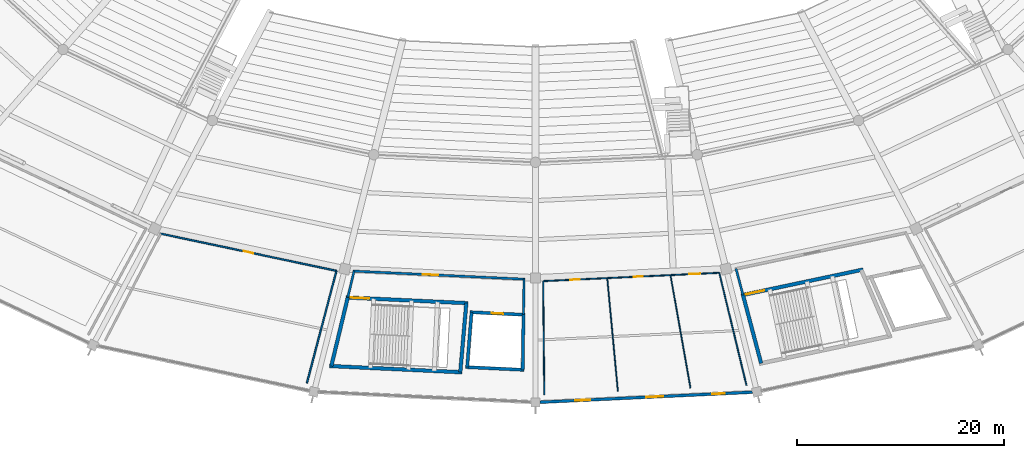
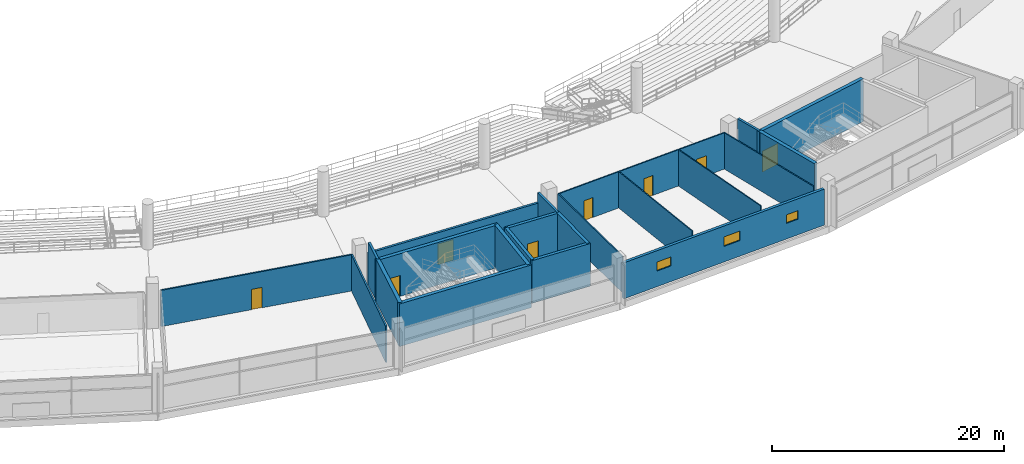
# One storey, part 102 of 156: 22 walls, 8 doors, 3 windows, 11 openings.
"""IFC4 building model written with IfcOpenShell, lengths in metres."""

from ifc_helpers import new_model, si_unit, direction, frame, frame_2d, origin, place, context, subcontext, project, spatial, rectangle, extrude, material, layer, layer_set, type_object, element, fill, save


model = new_model("IFC4")

# Units and contexts
model_context = context("Model", 3, precision=1e-05, world=origin(), true_north=direction((0.0, 1.0)))
body_context = subcontext(model_context, "Body", "Model", "MODEL_VIEW")
ifc_project = project(units=[si_unit("LENGTHUNIT", "METRE"), si_unit("AREAUNIT", "SQUARE_METRE"), si_unit("VOLUMEUNIT", "CUBIC_METRE"), si_unit("PLANEANGLEUNIT", "RADIAN"), si_unit("MASSUNIT", "GRAM", prefix="KILO")], contexts=[model_context])

# Site, building, storey
site_placement = place(None, origin())
site = spatial("IfcSite", under=ifc_project, at=site_placement, CompositionType="ELEMENT")
building_placement = place(site_placement, origin())
building = spatial("IfcBuilding", under=site, at=building_placement, Name="Kazemori Nagisa Stadium", CompositionType="ELEMENT")
storey_placement = place(building_placement, frame((0.0, 0.0, 5.780029296875)))
storey = spatial("IfcBuildingStorey", under=building, at=storey_placement, Name="L01", CompositionType="ELEMENT", Elevation=5.780029296875)

# Wall, opening, door
ifc_material_1 = material(Name="Concrete C40/50 (Fc42)", Category="concrete")
ifc_layer_1 = layer(ifc_material_1, 0.35009765625, Name="Concrete C40/50 (Fc42)", Category="concrete")
ifc_layer_set_1 = layer_set([ifc_layer_1], Name="Concrete C40/50 (Fc42)")
wall_type_1 = type_object("IfcWallType", Name="Wall_W-CORE-350", PredefinedType="SHEAR", material=ifc_layer_set_1)
wall_1_placement = place(storey_placement, frame((104.66748046875, 26.15478515625, 0.0), z_axis=(0.0, 0.0, 1.0), x_axis=(0.998883770468, -0.04723571843, 0.0)))
wall_1 = element("IfcWall", 1, at=wall_1_placement, inside=storey, type_object=wall_type_1, Name="Core stair front shear wall ST12 L01", PredefinedType="SHEAR", context=body_context, shape_type="SweptSolid", body=[
    extrude(rectangle(XDim=11.830810546875, YDim=0.35009765625, at=frame_2d((5.91552734375, 0.0))), origin(), (0.0, 0.0, 1.0), 4.5),
])
opening_1_placement = place(wall_1_placement, frame((0.47509765625, 0.0, 0.0)))
opening_1 = element("IfcOpeningElement", 2, at=opening_1_placement, cuts=wall_1, Name="Opening D-ST-1800", PredefinedType="OPENING", context=body_context, shape_type="SweptSolid", body=[
    extrude(rectangle(XDim=1.800048828125, YDim=2.199951171875, at=frame_2d((0.89990234375, 1.10009765625))), frame((0.0, 0.18505859375, 0.0), z_axis=(0.0, -1.0, 0.0), x_axis=(1.0, 0.0, 0.0)), (0.0, 0.0, 1.0), 0.3701171875),
])
ifc_material_2 = material(Name="Galvanised steel sheet", Category="steel")
door_type_1 = type_object("IfcDoorType", Name="Door_D-ST-1800", OperationType="NOTDEFINED", PredefinedType="DOOR", material=ifc_material_2)
door_1_placement = place(opening_1_placement, frame((1.800048828125, 0.0, 0.0), z_axis=(0.0, 0.0, 1.0), x_axis=(-1.0, 0.0, 0.0)))
door_1 = element("IfcDoor", 3, at=door_1_placement, inside=storey, type_object=door_type_1, Name="Exit stair fire door ST12-L01", OperationType="SINGLE_SWING_RIGHT", OverallHeight=2.199951171875, OverallWidth=1.800048828125, PredefinedType="DOOR", context=body_context, shape_type="SweptSolid", body=[
    extrude(rectangle(XDim=1.800048828125, YDim=2.199951171875, at=frame_2d((0.89990234375, 1.10009765625))), frame((0.0, 0.02490234375, 0.0), z_axis=(0.0, -1.0, 0.0), x_axis=(1.0, 0.0, 0.0)), (0.0, 0.0, 1.0), 0.050048828125),
])
fill(opening_1, door_1)

# Walls
wall_2_placement = place(storey_placement, frame((103.07958984375, 19.52197265625, 0.0), z_axis=(0.0, 0.0, 1.0), x_axis=(0.998884004857, -0.047230761603, 0.0)))
element("IfcWall", 4, at=wall_2_placement, inside=storey, type_object=wall_type_1, Name="Core stair rear shear wall ST12 L01", PredefinedType="SHEAR", context=body_context, shape_type="SweptSolid", body=[
    extrude(rectangle(XDim=12.8349609375, YDim=0.35009765625, at=frame_2d((6.41748046875, 0.0))), origin(), (0.0, 0.0, 1.0), 4.5),
])
wall_3_placement = place(storey_placement, frame((104.84228515625, 26.146484375, 0.0), z_axis=(0.0, 0.0, 1.0), x_axis=(-0.232820532896, -0.972519716747, 0.0)))
element("IfcWall", 5, at=wall_3_placement, inside=storey, type_object=wall_type_1, Name="Core stair left shear wall ST12 L01", PredefinedType="SHEAR", context=body_context, shape_type="SweptSolid", body=[
    extrude(rectangle(XDim=6.8203125, YDim=0.35009765625, at=frame_2d((3.41015625, 0.0))), origin(), (0.0, 0.0, 1.0), 4.5),
])
wall_4_placement = place(storey_placement, frame((116.310302734375, 25.604248046875, 0.0), z_axis=(0.0, 0.0, 1.0), x_axis=(-0.087232889326, -0.996187945631, 0.0)))
element("IfcWall", 6, at=wall_4_placement, inside=storey, type_object=wall_type_1, Name="Core stair right shear wall ST12 L01", PredefinedType="SHEAR", context=body_context, shape_type="SweptSolid", body=[
    extrude(rectangle(XDim=6.705810546875, YDim=0.35009765625, at=frame_2d((3.35302734375, 0.0))), origin(), (0.0, 0.0, 1.0), 4.5),
])

# Wall, opening, door
wall_5_placement = place(storey_placement, frame((142.895751953125, 26.357177734375, 0.0), z_axis=(0.0, 0.0, 1.0), x_axis=(0.978345203961, 0.206979858648, 0.0)))
wall_5 = element("IfcWall", 7, at=wall_5_placement, inside=storey, type_object=wall_type_1, Name="Core stair front shear wall ST06 L01", PredefinedType="SHEAR", context=body_context, shape_type="SweptSolid", body=[
    extrude(rectangle(XDim=12.044189453125, YDim=0.35009765625, at=frame_2d((6.02197265625, 0.0))), origin(), (0.0, 0.0, 1.0), 4.5),
])
opening_2_placement = place(wall_5_placement, frame((0.47509765625, 0.0, 0.0)))
opening_2 = element("IfcOpeningElement", 8, at=opening_2_placement, cuts=wall_5, Name="Opening D-ST-1800", PredefinedType="OPENING", context=body_context, shape_type="SweptSolid", body=[
    extrude(rectangle(XDim=1.800048828125, YDim=2.199951171875, at=frame_2d((0.89990234375, 1.10009765625))), frame((0.0, 0.18505859375, 0.0), z_axis=(0.0, -1.0, 0.0), x_axis=(1.0, 0.0, 0.0)), (0.0, 0.0, 1.0), 0.3701171875),
])
door_2_placement = place(opening_2_placement, frame((1.800048828125, 0.0, 0.0), z_axis=(0.0, 0.0, 1.0), x_axis=(-1.0, 0.0, 0.0)))
door_2 = element("IfcDoor", 9, at=door_2_placement, inside=storey, type_object=door_type_1, Name="Exit stair fire door ST06-L01", OperationType="SINGLE_SWING_RIGHT", OverallHeight=2.199951171875, OverallWidth=1.800048828125, PredefinedType="DOOR", context=body_context, shape_type="SweptSolid", body=[
    extrude(rectangle(XDim=1.800048828125, YDim=2.199951171875, at=frame_2d((0.89990234375, 1.10009765625))), frame((0.0, 0.02490234375, 0.0), z_axis=(0.0, -1.0, 0.0), x_axis=(1.0, 0.0, 0.0)), (0.0, 0.0, 1.0), 0.050048828125),
])
fill(opening_2, door_2)

# Wall
wall_6_placement = place(storey_placement, frame((143.06689453125, 26.3935546875, 0.0), z_axis=(0.0, 0.0, 1.0), x_axis=(0.256518400663, -0.966539347425, 0.0)))
element("IfcWall", 10, at=wall_6_placement, inside=storey, type_object=wall_type_1, Name="Core stair left shear wall ST06 L01", PredefinedType="SHEAR", context=body_context, shape_type="SweptSolid", body=[
    extrude(rectangle(XDim=6.840087890625, YDim=0.35009765625, at=frame_2d((3.419921875, 0.0))), origin(), (0.0, 0.0, 1.0), 4.5),
])

# Wall, openings, windows
ifc_material_3 = material(Name="Concrete C40/50 (Fc42) precast", Category="concrete")
ifc_layer_2 = layer(ifc_material_3, 0.27490234375, Name="Concrete C40/50 (Fc42) precast", Category="concrete")
ifc_layer_set_2 = layer_set([ifc_layer_2], Name="Concrete C40/50 (Fc42) precast")
wall_type_2 = type_object("IfcWallType", Name="Wall_W-EXT-275", PredefinedType="SOLIDWALL", material=ifc_layer_set_2)
wall_7_placement = place(storey_placement, frame((123.439453125, 16.020751953125, 0.0), z_axis=(0.0, 0.0, 1.0), x_axis=(0.998883870553, 0.047233601901, 0.0)))
wall_7 = element("IfcWall", 11, at=wall_7_placement, inside=storey, type_object=wall_type_2, Name="Exterior facade wall L01-22", PredefinedType="SOLIDWALL", context=body_context, shape_type="SweptSolid", body=[
    extrude(rectangle(XDim=20.57177734375, YDim=0.27490234375, at=frame_2d((10.285888671875, 0.0))), origin(), (0.0, 0.0, 1.0), 3.7978515625),
])
opening_3_placement = place(wall_7_placement, frame((3.388916015625, 0.0, 1.64990234375)))
opening_3 = element("IfcOpeningElement", 12, at=opening_3_placement, cuts=wall_7, Name="Opening WIN-WC-1450", PredefinedType="OPENING", context=body_context, shape_type="SweptSolid", body=[
    extrude(rectangle(XDim=1.449951171875, YDim=0.949951171875, at=frame_2d((0.72509765625, 0.47509765625))), frame((0.0, 0.1474609375, 0.0), z_axis=(0.0, -1.0, 0.0), x_axis=(1.0, 0.0, 0.0)), (0.0, 0.0, 1.0), 0.294921875),
])
opening_4_placement = place(wall_7_placement, frame((10.283935546875, 0.0, 1.64990234375)))
opening_4 = element("IfcOpeningElement", 13, at=opening_4_placement, cuts=wall_7, Name="Opening WIN-WC-1650", PredefinedType="OPENING", context=body_context, shape_type="SweptSolid", body=[
    extrude(rectangle(XDim=1.64990234375, YDim=1.0, at=frame_2d((0.824951171875, 0.5))), frame((0.0, 0.1474609375, 0.0), z_axis=(0.0, -1.0, 0.0), x_axis=(1.0, 0.0, 0.0)), (0.0, 0.0, 1.0), 0.294921875),
])
opening_5_placement = place(wall_7_placement, frame((16.679931640625, 0.0, 1.64990234375)))
opening_5 = element("IfcOpeningElement", 14, at=opening_5_placement, cuts=wall_7, Name="Opening WIN-WC-1200", PredefinedType="OPENING", context=body_context, shape_type="SweptSolid", body=[
    extrude(rectangle(XDim=1.199951171875, YDim=0.89990234375, at=frame_2d((0.60009765625, 0.449951171875))), frame((0.0, 0.1474609375, 0.0), z_axis=(0.0, -1.0, 0.0), x_axis=(1.0, 0.0, 0.0)), (0.0, 0.0, 1.0), 0.294921875),
])
ifc_material_4 = material(Name="Low-e laminated double glazing", Category="glass")
window_type_1 = type_object("IfcWindowType", Name="Window_WIN-WC-1200", PartitioningType="SINGLE_PANEL", PredefinedType="WINDOW", material=ifc_material_4)
window_1_placement = place(opening_5_placement, origin())
window_1 = element("IfcWindow", 15, at=window_1_placement, inside=storey, type_object=window_type_1, Name="Sanitary clerestory window L01-22-3", OverallHeight=0.89990234375, OverallWidth=1.199951171875, PartitioningType="SINGLE_PANEL", PredefinedType="WINDOW", context=body_context, shape_type="SweptSolid", body=[
    extrude(rectangle(XDim=1.199951171875, YDim=0.89990234375, at=frame_2d((0.60009765625, 0.449951171875))), frame((0.0, 0.030029296875, 0.0), z_axis=(0.0, -1.0, 0.0), x_axis=(1.0, 0.0, 0.0)), (0.0, 0.0, 1.0), 0.06005859375),
])
fill(opening_5, window_1)
window_type_2 = type_object("IfcWindowType", Name="Window_WIN-WC-1450", PartitioningType="SINGLE_PANEL", PredefinedType="WINDOW", material=ifc_material_4)
window_2_placement = place(opening_3_placement, origin())
window_2 = element("IfcWindow", 16, at=window_2_placement, inside=storey, type_object=window_type_2, Name="Sanitary clerestory window L01-22-1", OverallHeight=0.949951171875, OverallWidth=1.449951171875, PartitioningType="SINGLE_PANEL", PredefinedType="WINDOW", context=body_context, shape_type="SweptSolid", body=[
    extrude(rectangle(XDim=1.449951171875, YDim=0.949951171875, at=frame_2d((0.72509765625, 0.47509765625))), frame((0.0, 0.030029296875, 0.0), z_axis=(0.0, -1.0, 0.0), x_axis=(1.0, 0.0, 0.0)), (0.0, 0.0, 1.0), 0.06005859375),
])
fill(opening_3, window_2)
window_type_3 = type_object("IfcWindowType", Name="Window_WIN-WC-1650", PartitioningType="SINGLE_PANEL", PredefinedType="WINDOW", material=ifc_material_4)
window_3_placement = place(opening_4_placement, origin())
window_3 = element("IfcWindow", 17, at=window_3_placement, inside=storey, type_object=window_type_3, Name="Sanitary clerestory window L01-22-2", OverallHeight=1.0, OverallWidth=1.64990234375, PartitioningType="SINGLE_PANEL", PredefinedType="WINDOW", context=body_context, shape_type="SweptSolid", body=[
    extrude(rectangle(XDim=1.64990234375, YDim=1.0, at=frame_2d((0.824951171875, 0.5))), frame((0.0, 0.030029296875, 0.0), z_axis=(0.0, -1.0, 0.0), x_axis=(1.0, 0.0, 0.0)), (0.0, 0.0, 1.0), 0.06005859375),
])
fill(opening_4, window_3)

# Wall, opening, door
ifc_material_5 = material(Name="Concrete C36/45 (Fc36)", Category="concrete")
ifc_layer_3 = layer(ifc_material_5, 0.219970703125, Name="Concrete C36/45 (Fc36)", Category="concrete")
ifc_layer_set_3 = layer_set([ifc_layer_3], Name="Concrete C36/45 (Fc36)")
wall_type_3 = type_object("IfcWallType", Name="Wall_W-LOBBY-220", PredefinedType="SOLIDWALL", material=ifc_layer_set_3)
wall_8_placement = place(storey_placement, frame((105.343017578125, 28.702880859375, 0.0), z_axis=(0.0, 0.0, 1.0), x_axis=(0.998884242682, -0.047225731555, 0.0)))
wall_8 = element("IfcWall", 18, at=wall_8_placement, inside=storey, type_object=wall_type_3, Name="Core lobby fire wall ST12 L01", PredefinedType="SOLIDWALL", context=body_context, shape_type="SweptSolid", body=[
    extrude(rectangle(XDim=16.67724609375, YDim=0.219970703125, at=frame_2d((8.338623046875, 0.0))), origin(), (0.0, 0.0, 1.0), 3.447998046875),
])
opening_6_placement = place(wall_8_placement, frame((6.76611328125, 0.0, 0.0)))
opening_6 = element("IfcOpeningElement", 19, at=opening_6_placement, cuts=wall_8, Name="Opening D-FFL-1500", PredefinedType="OPENING", context=body_context, shape_type="SweptSolid", body=[
    extrude(rectangle(XDim=1.5, YDim=2.199951171875, at=frame_2d((0.75, 1.10009765625))), frame((0.0, 0.119873046875, 0.0), z_axis=(0.0, -1.0, 0.0), x_axis=(1.0, 0.0, 0.0)), (0.0, 0.0, 1.0), 0.239990234375),
])
door_type_2 = type_object("IfcDoorType", Name="Door_D-FFL-1500", OperationType="NOTDEFINED", PredefinedType="DOOR", material=ifc_material_2)
door_3_placement = place(opening_6_placement, frame((1.5, 0.0, 0.0), z_axis=(0.0, 0.0, 1.0), x_axis=(-1.0, 0.0, 0.0)))
door_3 = element("IfcDoor", 20, at=door_3_placement, inside=storey, type_object=door_type_2, Name="Protected lobby fire door ST12-L01", OperationType="DOUBLE_DOOR_SINGLE_SWING", OverallHeight=2.199951171875, OverallWidth=1.5, PredefinedType="DOOR", context=body_context, shape_type="SweptSolid", body=[
    extrude(rectangle(XDim=1.5, YDim=2.199951171875, at=frame_2d((0.75, 1.10009765625))), frame((0.0, 0.02490234375, 0.0), z_axis=(0.0, -1.0, 0.0), x_axis=(1.0, 0.0, 0.0)), (0.0, 0.0, 1.0), 0.050048828125),
])
fill(opening_6, door_3)

# Walls
wall_9_placement = place(storey_placement, frame((105.452880859375, 28.69775390625, 0.0), z_axis=(0.0, 0.0, 1.0), x_axis=(-0.232756927197, -0.972534941707, 0.0)))
element("IfcWall", 21, at=wall_9_placement, inside=storey, type_object=wall_type_3, Name="Core lobby left wall ST12 L01", PredefinedType="SOLIDWALL", context=body_context, shape_type="SweptSolid", body=[
    extrude(rectangle(XDim=2.623291015625, YDim=0.219970703125, at=frame_2d((1.3115234375, 0.0))), origin(), (0.0, 0.0, 1.0), 4.5),
])
wall_10_placement = place(storey_placement, frame((121.891845703125, 27.92041015625, 0.0), z_axis=(0.0, 0.0, 1.0), x_axis=(-0.014984113027, -0.999887731876, 0.0)))
element("IfcWall", 22, at=wall_10_placement, inside=storey, type_object=wall_type_3, Name="Core lobby right wall ST12 L01", PredefinedType="SOLIDWALL", context=body_context, shape_type="SweptSolid", body=[
    extrude(rectangle(XDim=3.43798828125, YDim=0.219970703125, at=frame_2d((1.718994140625, 0.0))), origin(), (0.0, 0.0, 1.0), 4.5),
])
wall_11_placement = place(storey_placement, frame((142.39208984375, 28.936279296875, 0.0), z_axis=(0.0, 0.0, 1.0), x_axis=(0.256507243456, -0.966542308466, 0.0)))
element("IfcWall", 23, at=wall_11_placement, inside=storey, type_object=wall_type_3, Name="Core lobby left wall ST06 L01", PredefinedType="SOLIDWALL", context=body_context, shape_type="SweptSolid", body=[
    extrude(rectangle(XDim=2.630859375, YDim=0.219970703125, at=frame_2d((1.3154296875, 0.0))), origin(), (0.0, 0.0, 1.0), 4.5),
])
ifc_material_6 = material(Name="High-pressure phenolic compact laminate", Category="gypsum")
ifc_layer_4 = layer(ifc_material_6, 0.10009765625, Name="High-pressure phenolic compact laminate", Category="gypsum")
ifc_layer_set_4 = layer_set([ifc_layer_4], Name="High-pressure phenolic compact laminate")
wall_type_4 = type_object("IfcWallType", Name="Wall_W-PART-100", PredefinedType="PARTITIONING", material=ifc_layer_set_4)
wall_12_placement = place(storey_placement, frame((129.9404296875, 28.024169921875, 0.0), z_axis=(0.0, 0.0, 1.0), x_axis=(0.09339704784, -0.995628942656, 0.0)))
element("IfcWall", 24, at=wall_12_placement, inside=storey, type_object=wall_type_4, Name="Sanitary divider partition L01-B22-1", PredefinedType="PARTITIONING", context=body_context, shape_type="SweptSolid", body=[
    extrude(rectangle(XDim=11.007568359375, YDim=0.10009765625, at=frame_2d((5.50390625, 0.0))), origin(), (0.0, 0.0, 1.0), 3.820068359375),
])
wall_13_placement = place(storey_placement, frame((136.054931640625, 28.313232421875, 0.0), z_axis=(0.0, 0.0, 1.0), x_axis=(0.174453621557, -0.984665391859, 0.0)))
element("IfcWall", 25, at=wall_13_placement, inside=storey, type_object=wall_type_4, Name="Sanitary divider partition L01-B22-2", PredefinedType="PARTITIONING", context=body_context, shape_type="SweptSolid", body=[
    extrude(rectangle(XDim=11.08642578125, YDim=0.10009765625, at=frame_2d((5.543212890625, 0.0))), origin(), (0.0, 0.0, 1.0), 3.820068359375),
])

# Wall, openings, doors
ifc_material_7 = material(Name="Moisture-resistant gypsum board", Category="gypsum")
ifc_layer_5 = layer(ifc_material_7, 0.114990234375, Name="Moisture-resistant gypsum board", Category="gypsum")
ifc_layer_set_5 = layer_set([ifc_layer_5], Name="Moisture-resistant gypsum board")
wall_type_5 = type_object("IfcWallType", Name="Wall_W-PART-115", PredefinedType="PARTITIONING", material=ifc_layer_set_5)
wall_14_placement = place(storey_placement, frame((123.740478515625, 27.73095703125, 0.0), z_axis=(0.0, 0.0, 1.0), x_axis=(0.998883826153, 0.047234540851, 0.0)))
wall_14 = element("IfcWall", 26, at=wall_14_placement, inside=storey, type_object=wall_type_5, Name="Sanitary block corridor partition L01-B22", PredefinedType="PARTITIONING", context=body_context, shape_type="SweptSolid", body=[
    extrude(rectangle(XDim=17.051513671875, YDim=0.114990234375, at=frame_2d((8.52587890625, 0.0))), origin(), (0.0, 0.0, 1.0), 3.820068359375),
])
opening_7_placement = place(wall_14_placement, frame((2.618896484375, 0.0, 0.0)))
opening_7 = element("IfcOpeningElement", 27, at=opening_7_placement, cuts=wall_14, Name="Opening D-WC-900", PredefinedType="OPENING", context=body_context, shape_type="SweptSolid", body=[
    extrude(rectangle(XDim=0.89990234375, YDim=2.10009765625, at=frame_2d((0.449951171875, 1.050048828125))), frame((0.0, 0.0673828125, 0.0), z_axis=(0.0, -1.0, 0.0), x_axis=(1.0, 0.0, 0.0)), (0.0, 0.0, 1.0), 0.135009765625),
])
opening_8_placement = place(wall_14_placement, frame((8.758056640625, 0.0, 0.0)))
opening_8 = element("IfcOpeningElement", 28, at=opening_8_placement, cuts=wall_14, Name="Opening D-WC-900", PredefinedType="OPENING", context=body_context, shape_type="SweptSolid", body=[
    extrude(rectangle(XDim=0.89990234375, YDim=2.10009765625, at=frame_2d((0.449951171875, 1.050048828125))), frame((0.0, 0.0673828125, 0.0), z_axis=(0.0, -1.0, 0.0), x_axis=(1.0, 0.0, 0.0)), (0.0, 0.0, 1.0), 0.135009765625),
])
opening_9_placement = place(wall_14_placement, frame((14.138916015625, 0.0, 0.0)))
opening_9 = element("IfcOpeningElement", 29, at=opening_9_placement, cuts=wall_14, Name="Opening D-AWC-1050", PredefinedType="OPENING", context=body_context, shape_type="SweptSolid", body=[
    extrude(rectangle(XDim=1.050048828125, YDim=2.10009765625, at=frame_2d((0.52490234375, 1.050048828125))), frame((0.0, 0.0673828125, 0.0), z_axis=(0.0, -1.0, 0.0), x_axis=(1.0, 0.0, 0.0)), (0.0, 0.0, 1.0), 0.135009765625),
])
ifc_material_8 = material(Name="High-pressure laminate on timber core", Category="wood")
door_type_3 = type_object("IfcDoorType", Name="Door_D-AWC-1050", OperationType="NOTDEFINED", PredefinedType="DOOR", material=ifc_material_8)
door_4_placement = place(opening_9_placement, origin())
door_4 = element("IfcDoor", 30, at=door_4_placement, inside=storey, type_object=door_type_3, Name="AWC entrance door L01-B22", OperationType="SINGLE_SWING_LEFT", OverallHeight=2.10009765625, OverallWidth=1.050048828125, PredefinedType="DOOR", context=body_context, shape_type="SweptSolid", body=[
    extrude(rectangle(XDim=1.050048828125, YDim=2.10009765625, at=frame_2d((0.52490234375, 1.050048828125))), frame((0.0, 0.02490234375, 0.0), z_axis=(0.0, -1.0, 0.0), x_axis=(1.0, 0.0, 0.0)), (0.0, 0.0, 1.0), 0.050048828125),
])
fill(opening_9, door_4)
door_type_4 = type_object("IfcDoorType", Name="Door_D-WC-900", OperationType="NOTDEFINED", PredefinedType="DOOR", material=ifc_material_8)
door_5_placement = place(opening_7_placement, origin())
door_5 = element("IfcDoor", 31, at=door_5_placement, inside=storey, type_object=door_type_4, Name="MWC entrance door L01-B22", OperationType="SINGLE_SWING_LEFT", OverallHeight=2.10009765625, OverallWidth=0.89990234375, PredefinedType="DOOR", context=body_context, shape_type="SweptSolid", body=[
    extrude(rectangle(XDim=0.89990234375, YDim=2.10009765625, at=frame_2d((0.449951171875, 1.050048828125))), frame((0.0, 0.02490234375, 0.0), z_axis=(0.0, -1.0, 0.0), x_axis=(1.0, 0.0, 0.0)), (0.0, 0.0, 1.0), 0.050048828125),
])
fill(opening_7, door_5)
door_6_placement = place(opening_8_placement, origin())
door_6 = element("IfcDoor", 32, at=door_6_placement, inside=storey, type_object=door_type_4, Name="FWC entrance door L01-B22", OperationType="SINGLE_SWING_RIGHT", OverallHeight=2.10009765625, OverallWidth=0.89990234375, PredefinedType="DOOR", context=body_context, shape_type="SweptSolid", body=[
    extrude(rectangle(XDim=0.89990234375, YDim=2.10009765625, at=frame_2d((0.449951171875, 1.050048828125))), frame((0.0, 0.02490234375, 0.0), z_axis=(0.0, -1.0, 0.0), x_axis=(1.0, 0.0, 0.0)), (0.0, 0.0, 1.0), 0.050048828125),
])
fill(opening_8, door_6)

# Walls
wall_15_placement = place(storey_placement, frame((123.740478515625, 27.73095703125, 0.0), z_axis=(0.0, 0.0, 1.0), x_axis=(0.00998463551, -0.999950152284, 0.0)))
element("IfcWall", 33, at=wall_15_placement, inside=storey, type_object=wall_type_5, Name="Sanitary block L partition L01-B22", PredefinedType="PARTITIONING", context=body_context, shape_type="SweptSolid", body=[
    extrude(rectangle(XDim=11.003173828125, YDim=0.114990234375, at=frame_2d((5.50146484375, 0.0))), origin(), (0.0, 0.0, 1.0), 3.820068359375),
])
wall_16_placement = place(storey_placement, frame((140.77294921875, 28.536376953125, 0.0), z_axis=(0.0, 0.0, 1.0), x_axis=(0.235146333041, -0.971959979658, 0.0)))
element("IfcWall", 34, at=wall_16_placement, inside=storey, type_object=wall_type_5, Name="Sanitary block R partition L01-B22", PredefinedType="PARTITIONING", context=body_context, shape_type="SweptSolid", body=[
    extrude(rectangle(XDim=11.197509765625, YDim=0.114990234375, at=frame_2d((5.5986328125, 0.0))), origin(), (0.0, 0.0, 1.0), 3.820068359375),
])

# Wall, opening, door
ifc_layer_6 = layer(ifc_material_7, 0.14990234375, Name="Moisture-resistant gypsum board", Category="gypsum")
ifc_layer_set_6 = layer_set([ifc_layer_6], Name="Moisture-resistant gypsum board")
wall_type_6 = type_object("IfcWallType", Name="Wall_W-PART-150", PredefinedType="PARTITIONING", material=ifc_layer_set_6)
wall_17_placement = place(storey_placement, frame((86.755615234375, 32.322509765625, 0.0), z_axis=(0.0, 0.0, 1.0), x_axis=(0.978347075804, -0.206971010692, 0.0)))
wall_17 = element("IfcWall", 35, at=wall_17_placement, inside=storey, type_object=wall_type_6, Name="Room corridor partition L01-B20", PredefinedType="PARTITIONING", context=body_context, shape_type="SweptSolid", body=[
    extrude(rectangle(XDim=17.3681640625, YDim=0.14990234375, at=frame_2d((8.68408203125, 0.0))), origin(), (0.0, 0.0, 1.0), 3.820068359375),
])
opening_10_placement = place(wall_17_placement, frame((8.208984375, 0.0, 0.0)))
opening_10 = element("IfcOpeningElement", 36, at=opening_10_placement, cuts=wall_17, Name="Opening D-OFF-950", PredefinedType="OPENING", context=body_context, shape_type="SweptSolid", body=[
    extrude(rectangle(XDim=0.949951171875, YDim=2.14990234375, at=frame_2d((0.47509765625, 1.074951171875))), frame((0.0, 0.0849609375, 0.0), z_axis=(0.0, -1.0, 0.0), x_axis=(1.0, 0.0, 0.0)), (0.0, 0.0, 1.0), 0.169921875),
])
ifc_material_9 = material(Name="Oak timber veneer", Category="wood")
door_type_5 = type_object("IfcDoorType", Name="Door_D-OFF-950", OperationType="NOTDEFINED", PredefinedType="DOOR", material=ifc_material_9)
door_7_placement = place(opening_10_placement, origin())
door_7 = element("IfcDoor", 37, at=door_7_placement, inside=storey, type_object=door_type_5, Name="Room entrance door D-OFF-950 L01-B20", OperationType="SINGLE_SWING_RIGHT", OverallHeight=2.14990234375, OverallWidth=0.949951171875, PredefinedType="DOOR", context=body_context, shape_type="SweptSolid", body=[
    extrude(rectangle(XDim=0.949951171875, YDim=2.14990234375, at=frame_2d((0.47509765625, 1.074951171875))), frame((0.0, 0.02490234375, 0.0), z_axis=(0.0, -1.0, 0.0), x_axis=(1.0, 0.0, 0.0)), (0.0, 0.0, 1.0), 0.050048828125),
])
fill(opening_10, door_7)

# Wall
wall_18_placement = place(storey_placement, frame((103.747802734375, 28.727783203125, 0.0), z_axis=(0.0, 0.0, 1.0), x_axis=(-0.254131382846, -0.967169706025, 0.0)))
element("IfcWall", 38, at=wall_18_placement, inside=storey, type_object=wall_type_6, Name="Room radial partition L01-B20-R", PredefinedType="PARTITIONING", context=body_context, shape_type="SweptSolid", body=[
    extrude(rectangle(XDim=11.2236328125, YDim=0.14990234375, at=frame_2d((5.61181640625, 0.0))), origin(), (0.0, 0.0, 1.0), 3.820068359375),
])

# Wall, opening, door
ifc_layer_7 = layer(ifc_material_1, 0.300048828125, Name="Concrete C40/50 (Fc42)", Category="concrete")
ifc_layer_set_7 = layer_set([ifc_layer_7], Name="Concrete C40/50 (Fc42)")
wall_type_7 = type_object("IfcWallType", Name="Wall_W-SHAFT-300", PredefinedType="SHEAR", material=ifc_layer_set_7)
wall_19_placement = place(storey_placement, frame((116.665283203125, 24.7275390625, 0.0), z_axis=(0.0, 0.0, 1.0), x_axis=(0.998882494219, -0.047262699282, 0.0)))
wall_19 = element("IfcWall", 39, at=wall_19_placement, inside=storey, type_object=wall_type_7, Name="Lift shaft front wall LP4 L01", PredefinedType="SHEAR", context=body_context, shape_type="SweptSolid", body=[
    extrude(rectangle(XDim=5.330810546875, YDim=0.300048828125, at=frame_2d((2.66552734375, 0.0))), origin(), (0.0, 0.0, 1.0), 4.5),
])
opening_11_placement = place(wall_19_placement, frame((2.114990234375, 0.0, 0.0)))
opening_11 = element("IfcOpeningElement", 40, at=opening_11_placement, cuts=wall_19, Name="Opening LD-PAX", PredefinedType="OPENING", context=body_context, shape_type="SweptSolid", body=[
    extrude(rectangle(XDim=1.10009765625, YDim=2.199951171875, at=frame_2d((0.550048828125, 1.10009765625))), frame((0.0, 0.159912109375, 0.0), z_axis=(0.0, -1.0, 0.0), x_axis=(1.0, 0.0, 0.0)), (0.0, 0.0, 1.0), 0.320068359375),
])
ifc_material_10 = material(Name="Stainless steel SUS304", Category="steel")
door_type_6 = type_object("IfcDoorType", Name="Door_LD-PAX", OperationType="SLIDING_TO_RIGHT", PredefinedType="DOOR", material=ifc_material_10)
door_8_placement = place(opening_11_placement, origin())
door_8 = element("IfcDoor", 41, at=door_8_placement, inside=storey, type_object=door_type_6, Name="Lift landing door LP4-L01", OperationType="SLIDING_TO_RIGHT", OverallHeight=2.199951171875, OverallWidth=1.10009765625, PredefinedType="DOOR", context=body_context, shape_type="SweptSolid", body=[
    extrude(rectangle(XDim=1.10009765625, YDim=2.199951171875, at=frame_2d((0.550048828125, 1.10009765625))), frame((0.0, 0.02490234375, 0.0), z_axis=(0.0, -1.0, 0.0), x_axis=(1.0, 0.0, 0.0)), (0.0, 0.0, 1.0), 0.050048828125),
])
fill(opening_11, door_8)

# Walls
wall_20_placement = place(storey_placement, frame((116.240234375, 19.41552734375, 0.0), z_axis=(0.0, 0.0, 1.0), x_axis=(0.998884329444, -0.047223896393, 0.0)))
element("IfcWall", 42, at=wall_20_placement, inside=storey, type_object=wall_type_7, Name="Lift shaft B wall LP4 L01", PredefinedType="SHEAR", context=body_context, shape_type="SweptSolid", body=[
    extrude(rectangle(XDim=5.676513671875, YDim=0.300048828125, at=frame_2d((2.83837890625, 0.0))), origin(), (0.0, 0.0, 1.0), 4.5),
])
wall_21_placement = place(storey_placement, frame((116.815185546875, 24.720458984375, 0.0), z_axis=(0.0, 0.0, 1.0), x_axis=(-0.079807132276, -0.996810323802, 0.0)))
element("IfcWall", 43, at=wall_21_placement, inside=storey, type_object=wall_type_7, Name="Lift shaft L wall LP4 L01", PredefinedType="SHEAR", context=body_context, shape_type="SweptSolid", body=[
    extrude(rectangle(XDim=5.3291015625, YDim=0.300048828125, at=frame_2d((2.66455078125, 0.0))), origin(), (0.0, 0.0, 1.0), 4.5),
])
wall_22_placement = place(storey_placement, frame((121.84033203125, 24.48291015625, 0.0), z_axis=(0.0, 0.0, 1.0), x_axis=(-0.014935332807, -0.999888461697, 0.0)))
element("IfcWall", 44, at=wall_22_placement, inside=storey, type_object=wall_type_7, Name="Lift shaft R wall LP4 L01", PredefinedType="SHEAR", context=body_context, shape_type="SweptSolid", body=[
    extrude(rectangle(XDim=5.328857421875, YDim=0.300048828125, at=frame_2d((2.66455078125, 0.0))), origin(), (0.0, 0.0, 1.0), 4.5),
])

save(model, "model.ifc")
